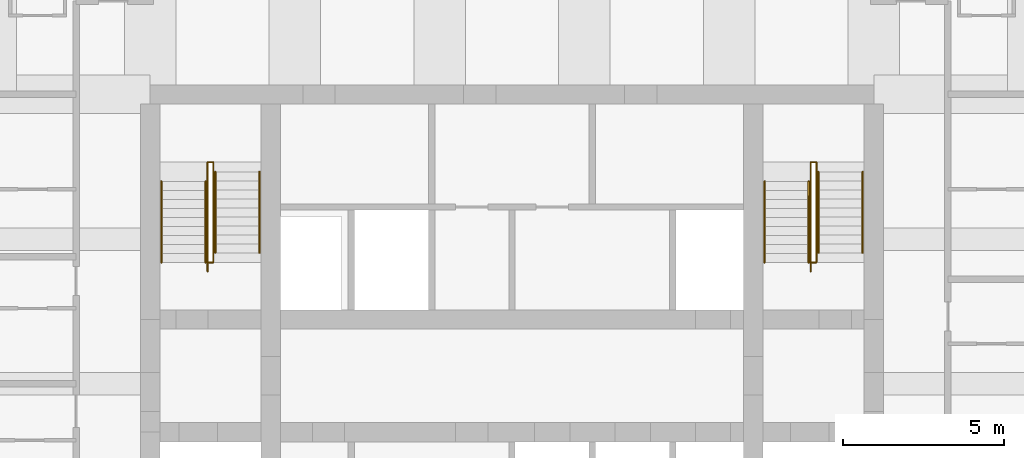
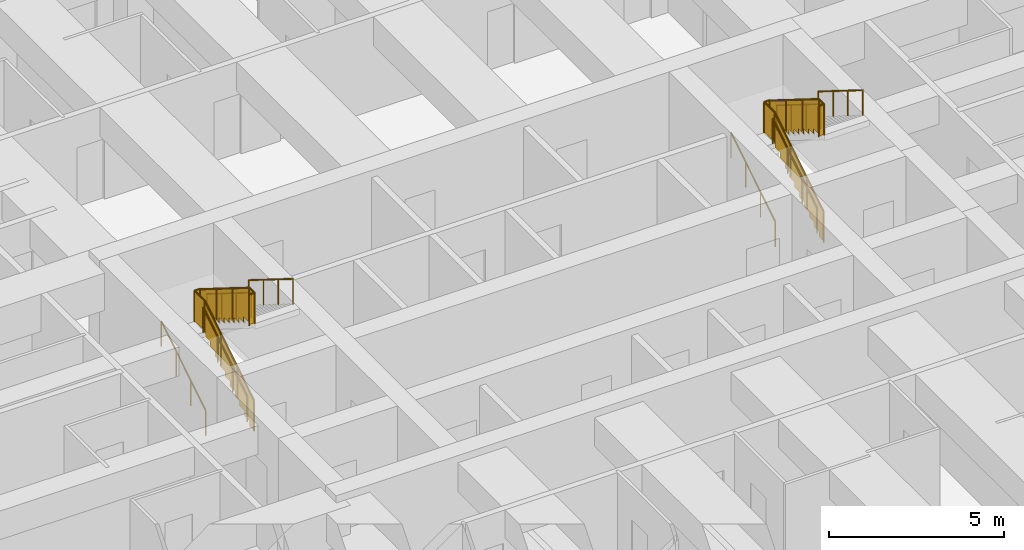
# One storey, part 8 of 8: 12 railings.
"""IFC4 building model written with IfcOpenShell, lengths in metres."""

from ifc_helpers import new_model, si_unit, direction, frame, origin, origin_2d, place, context, subcontext, project, spatial, polyline, circle, outline, extrude, material, type_object, element, save


model = new_model("IFC4")

# Units and contexts
model_context = context("Model", 3, precision=1e-05, world=origin(), true_north=direction((0.0, 1.0)))
body_context = subcontext(model_context, "Body", "Model", "MODEL_VIEW")
ifc_project = project(units=[si_unit("LENGTHUNIT", "METRE"), si_unit("AREAUNIT", "SQUARE_METRE"), si_unit("VOLUMEUNIT", "CUBIC_METRE"), si_unit("PLANEANGLEUNIT", "RADIAN"), si_unit("MASSUNIT", "GRAM", prefix="KILO")], contexts=[model_context])

# Site, building, storey
site_placement = place(None, origin())
site = spatial("IfcSite", under=ifc_project, at=site_placement, CompositionType="ELEMENT")
building_placement = place(site_placement, origin())
building = spatial("IfcBuilding", under=site, at=building_placement, Name="Kilele Tower Hotel", CompositionType="ELEMENT")
storey_placement = place(building_placement, frame((0.0, 0.0, 93.39990234375)))
storey = spatial("IfcBuildingStorey", under=building, at=storey_placement, Name="L23", CompositionType="ELEMENT", Elevation=93.39990234375)

# Railings
ifc_material_1 = material(Name="Steel handrail", Category="steel")
railing_type_1 = type_object("IfcRailingType", Name="Handrail 900", PredefinedType="HANDRAIL", material=ifc_material_1)
for number, where, name in (
    (1, (13.85009765625, 21.77490234375, 0.175048828125), "Handrail ST1 flight 1"),
    (2, (15.22509765625, 21.77490234375, 0.175048828125), "Handrail ST1 flight 1"),
):
    element("IfcRailing", number, at=place(storey_placement, frame(where)), inside=storey, type_object=railing_type_1, Name=name, PredefinedType="HANDRAIL", context=body_context, shape_type="SweptSolid", body=[
        extrude(circle(Radius=0.02490234375, at=origin_2d()), frame((0.0, 0.0, 0.875), z_axis=(0.0, 0.848007534815, 0.529984170421), x_axis=(-1.0, 0.0, 0.0)), (0.0, 0.0, 1.0), 2.9716796875),
        extrude(circle(Radius=0.02001953125, at=origin_2d()), origin(), (0.0, 0.0, 1.0), 0.849853515625),
        extrude(circle(Radius=0.02001953125, at=origin_2d()), frame((0.0, 0.840087890625, 0.52490234375)), (0.0, 0.0, 1.0), 0.849853515625),
        extrude(circle(Radius=0.02001953125, at=origin_2d()), frame((0.0, 1.679931640625, 1.050048828125)), (0.0, 0.0, 1.0), 0.849853515625),
        extrude(circle(Radius=0.02001953125, at=origin_2d()), frame((0.0, 2.52001953125, 1.574951171875)), (0.0, 0.0, 1.0), 0.849853515625),
    ])
for number, where, name in (
    (3, (15.52490234375, 24.594970703125, 1.925048828125), "Handrail ST1 flight 2"),
    (4, (16.89990234375, 24.594970703125, 1.925048828125), "Handrail ST1 flight 2"),
):
    element("IfcRailing", number, at=place(storey_placement, frame(where)), inside=storey, type_object=railing_type_1, Name=name, PredefinedType="HANDRAIL", context=body_context, shape_type="SweptSolid", body=[
        extrude(circle(Radius=0.02490234375, at=origin_2d()), frame((0.0, 0.0, 0.875), z_axis=(0.0, -0.848007534815, 0.529984170421), x_axis=(1.0, 0.0, 0.0)), (0.0, 0.0, 1.0), 2.9716796875),
        extrude(circle(Radius=0.02001953125, at=origin_2d()), origin(), (0.0, 0.0, 1.0), 0.849853515625),
        extrude(circle(Radius=0.02001953125, at=origin_2d()), frame((0.0, -0.840087890625, 0.52490234375)), (0.0, 0.0, 1.0), 0.849853515625),
        extrude(circle(Radius=0.02001953125, at=origin_2d()), frame((0.0, -1.679931640625, 1.050048828125)), (0.0, 0.0, 1.0), 0.849853515625),
        extrude(circle(Radius=0.02001953125, at=origin_2d()), frame((0.0, -2.52001953125, 1.574951171875)), (0.0, 0.0, 1.0), 0.849853515625),
    ])
for number, where, name in (
    (5, (32.60009765625, 21.77490234375, 0.175048828125), "Handrail ST2 flight 1"),
    (6, (33.97509765625, 21.77490234375, 0.175048828125), "Handrail ST2 flight 1"),
):
    element("IfcRailing", number, at=place(storey_placement, frame(where)), inside=storey, type_object=railing_type_1, Name=name, PredefinedType="HANDRAIL", context=body_context, shape_type="SweptSolid", body=[
        extrude(circle(Radius=0.02490234375, at=origin_2d()), frame((0.0, 0.0, 0.875), z_axis=(0.0, 0.848007534815, 0.529984170421), x_axis=(-1.0, 0.0, 0.0)), (0.0, 0.0, 1.0), 2.9716796875),
        extrude(circle(Radius=0.02001953125, at=origin_2d()), origin(), (0.0, 0.0, 1.0), 0.849853515625),
        extrude(circle(Radius=0.02001953125, at=origin_2d()), frame((0.0, 0.840087890625, 0.52490234375)), (0.0, 0.0, 1.0), 0.849853515625),
        extrude(circle(Radius=0.02001953125, at=origin_2d()), frame((0.0, 1.679931640625, 1.050048828125)), (0.0, 0.0, 1.0), 0.849853515625),
        extrude(circle(Radius=0.02001953125, at=origin_2d()), frame((0.0, 2.52001953125, 1.574951171875)), (0.0, 0.0, 1.0), 0.849853515625),
    ])
for number, where, name in (
    (7, (34.27490234375, 24.594970703125, 1.925048828125), "Handrail ST2 flight 2"),
    (8, (35.64990234375, 24.594970703125, 1.925048828125), "Handrail ST2 flight 2"),
):
    element("IfcRailing", number, at=place(storey_placement, frame(where)), inside=storey, type_object=railing_type_1, Name=name, PredefinedType="HANDRAIL", context=body_context, shape_type="SweptSolid", body=[
        extrude(circle(Radius=0.02490234375, at=origin_2d()), frame((0.0, 0.0, 0.875), z_axis=(0.0, -0.848007534815, 0.529984170421), x_axis=(1.0, 0.0, 0.0)), (0.0, 0.0, 1.0), 2.9716796875),
        extrude(circle(Radius=0.02001953125, at=origin_2d()), origin(), (0.0, 0.0, 1.0), 0.849853515625),
        extrude(circle(Radius=0.02001953125, at=origin_2d()), frame((0.0, -0.840087890625, 0.52490234375)), (0.0, 0.0, 1.0), 0.849853515625),
        extrude(circle(Radius=0.02001953125, at=origin_2d()), frame((0.0, -1.679931640625, 1.050048828125)), (0.0, 0.0, 1.0), 0.849853515625),
        extrude(circle(Radius=0.02001953125, at=origin_2d()), frame((0.0, -2.52001953125, 1.574951171875)), (0.0, 0.0, 1.0), 0.849853515625),
    ])
ifc_material_2 = material(Name="Steel guard", Category="steel")
railing_type_2 = type_object("IfcRailingType", Name="Stair guard 1100", PredefinedType="GUARDRAIL", material=ifc_material_2)
railing_1_placement = place(storey_placement, frame((15.284912109375, 21.4951171875, 0.0)))
element("IfcRailing", 9, at=railing_1_placement, inside=storey, type_object=railing_type_2, Name="Stair well guard ST1 flight 1", PredefinedType="GUARDRAIL", context=body_context, shape_type="SweptSolid", body=[
    extrude(circle(Radius=0.02490234375, at=origin_2d()), frame((0.0, 0.0, 1.0751953125), z_axis=(0.0, 0.847981687118, 0.530025526095), x_axis=(-1.0, 0.0, 0.0)), (0.0, 0.0, 1.0), 3.3017578125),
    extrude(circle(Radius=0.02490234375, at=origin_2d()), frame((0.0, 2.7998046875, 2.8251953125), z_axis=(0.0, 1.0, 0.0), x_axis=(-1.0, 0.0, 0.0)), (0.0, 0.0, 1.0), 0.60009765625),
    extrude(circle(Radius=0.02490234375, at=origin_2d()), frame((0.0, 3.39990234375, 2.8251953125), z_axis=(1.0, 0.0, 0.0), x_axis=(0.0, 1.0, 0.0)), (0.0, 0.0, 1.0), 0.18017578125),
    extrude(circle(Radius=0.02490234375, at=origin_2d()), origin(), (0.0, 0.0, 1.0), 1.050048828125),
    extrude(circle(Radius=0.02490234375, at=origin_2d()), frame((0.0, 0.933349609375, 0.583251953125)), (0.0, 0.0, 1.0), 1.050048828125),
    extrude(circle(Radius=0.02490234375, at=origin_2d()), frame((0.0, 1.866455078125, 1.166748046875)), (0.0, 0.0, 1.0), 1.050048828125),
    extrude(circle(Radius=0.02490234375, at=origin_2d()), frame((0.0, 2.7998046875, 1.75)), (0.0, 0.0, 1.0), 1.050048828125),
    extrude(circle(Radius=0.02490234375, at=origin_2d()), frame((0.0, 3.39990234375, 1.75)), (0.0, 0.0, 1.0), 1.050048828125),
    extrude(circle(Radius=0.02490234375, at=origin_2d()), frame((0.18017578125, 3.39990234375, 1.75)), (0.0, 0.0, 1.0), 1.050048828125),
    extrude(outline(polyline([(0.012451171875, 0.030029296875), (0.25, 0.030029296875), (0.25, 0.205078125), (0.530029296875, 0.205078125), (0.530029296875, 0.380126953125), (0.809814453125, 0.380126953125), (0.809814453125, 0.554931640625), (1.08984375, 0.554931640625), (1.08984375, 0.72998046875), (1.369873046875, 0.72998046875), (1.369873046875, 0.905029296875), (1.64990234375, 0.905029296875), (1.64990234375, 1.080078125), (1.929931640625, 1.080078125), (1.929931640625, 1.255126953125), (2.209716796875, 1.255126953125), (2.209716796875, 1.429931640625), (2.48974609375, 1.429931640625), (2.48974609375, 1.60498046875), (2.769775390625, 1.60498046875), (2.769775390625, 1.780029296875), (2.787353515625, 1.780029296875), (2.787353515625, 2.787841796875), (0.012451171875, 1.053466796875), (0.012451171875, 0.030029296875)])), frame((-0.005859375, 0.0, 0.0), z_axis=(1.0, 0.0, 0.0), x_axis=(0.0, 1.0, 0.0)), (0.0, 0.0, 1.0), 0.011962890625),
    extrude(outline(polyline([(0.012451171875, 0.030029296875), (0.587646484375, 0.030029296875), (0.587646484375, 1.050048828125), (0.012451171875, 1.050048828125), (0.012451171875, 0.030029296875)])), frame((-0.005859375, 2.7998046875, 1.75), z_axis=(1.0, 0.0, 0.0), x_axis=(0.0, 1.0, 0.0)), (0.0, 0.0, 1.0), 0.011962890625),
    extrude(outline(polyline([(0.012451171875, 0.030029296875), (0.18017578125, 0.030029296875), (0.18017578125, 1.050048828125), (0.012451171875, 1.050048828125), (0.012451171875, 0.030029296875)])), frame((0.0, 3.40576171875, 1.75), z_axis=(0.0, -1.0, 0.0), x_axis=(1.0, 0.0, 0.0)), (0.0, 0.0, 1.0), 0.011962890625),
])
railing_2_placement = place(storey_placement, frame((15.465087890625, 24.89501953125, 1.75)))
element("IfcRailing", 10, at=railing_2_placement, inside=storey, type_object=railing_type_2, Name="Stair well guard ST1 flight 2", PredefinedType="GUARDRAIL", context=body_context, shape_type="SweptSolid", body=[
    extrude(circle(Radius=0.02490234375, at=origin_2d()), frame((0.0, 0.0, 1.0751953125), z_axis=(0.0, -1.0, 0.0), x_axis=(1.0, 0.0, 0.0)), (0.0, 0.0, 1.0), 0.02001953125),
    extrude(circle(Radius=0.02490234375, at=origin_2d()), frame((0.0, -0.02001953125, 1.0751953125), z_axis=(0.0, -0.848002457836, 0.529992293815), x_axis=(1.0, 0.0, 0.0)), (0.0, 0.0, 1.0), 3.302001953125),
    extrude(circle(Radius=0.02490234375, at=origin_2d()), frame((0.0, -2.820068359375, 2.8251953125), z_axis=(0.0, -1.0, 0.0), x_axis=(1.0, 0.0, 0.0)), (0.0, 0.0, 1.0), 0.300048828125),
    extrude(circle(Radius=0.02490234375, at=origin_2d()), frame((0.0, -3.1201171875, 2.8251953125), z_axis=(-1.0, 0.0, 0.0), x_axis=(0.0, -1.0, 0.0)), (0.0, 0.0, 1.0), 0.18017578125),
    extrude(circle(Radius=0.02490234375, at=origin_2d()), origin(), (0.0, 0.0, 1.0), 1.050048828125),
    extrude(circle(Radius=0.02490234375, at=origin_2d()), frame((0.0, -0.02001953125, 0.0)), (0.0, 0.0, 1.0), 1.050048828125),
    extrude(circle(Radius=0.02490234375, at=origin_2d()), frame((0.0, -0.953369140625, 0.583251953125)), (0.0, 0.0, 1.0), 1.050048828125),
    extrude(circle(Radius=0.02490234375, at=origin_2d()), frame((0.0, -1.88671875, 1.166748046875)), (0.0, 0.0, 1.0), 1.050048828125),
    extrude(circle(Radius=0.02490234375, at=origin_2d()), frame((0.0, -2.820068359375, 1.75)), (0.0, 0.0, 1.0), 1.050048828125),
    extrude(circle(Radius=0.02490234375, at=origin_2d()), frame((0.0, -3.1201171875, 1.75)), (0.0, 0.0, 1.0), 1.050048828125),
    extrude(circle(Radius=0.02490234375, at=origin_2d()), frame((-0.18017578125, -3.1201171875, 1.75)), (0.0, 0.0, 1.0), 1.050048828125),
    extrude(outline(polyline([(0.012451171875, 0.030029296875), (0.25, 0.030029296875), (0.25, 0.205078125), (0.530029296875, 0.205078125), (0.530029296875, 0.380126953125), (0.81005859375, 0.380126953125), (0.81005859375, 0.554931640625), (1.090087890625, 0.554931640625), (1.090087890625, 0.72998046875), (1.3701171875, 0.72998046875), (1.3701171875, 0.905029296875), (1.64990234375, 0.905029296875), (1.64990234375, 1.080078125), (1.929931640625, 1.080078125), (1.929931640625, 1.255126953125), (2.2099609375, 1.255126953125), (2.2099609375, 1.429931640625), (2.489990234375, 1.429931640625), (2.489990234375, 1.60498046875), (2.77001953125, 1.60498046875), (2.77001953125, 1.780029296875), (2.78759765625, 1.780029296875), (2.78759765625, 2.787841796875), (0.012451171875, 1.053466796875), (0.012451171875, 0.030029296875)])), frame((0.005859375, -0.02001953125, 0.0), z_axis=(-1.0, 0.0, 0.0), x_axis=(0.0, -1.0, 0.0)), (0.0, 0.0, 1.0), 0.011962890625),
    extrude(outline(polyline([(0.012451171875, 0.030029296875), (0.28759765625, 0.030029296875), (0.28759765625, 1.050048828125), (0.012451171875, 1.050048828125), (0.012451171875, 0.030029296875)])), frame((0.005859375, -2.820068359375, 1.75), z_axis=(-1.0, 0.0, 0.0), x_axis=(0.0, -1.0, 0.0)), (0.0, 0.0, 1.0), 0.011962890625),
    extrude(outline(polyline([(0.012451171875, 0.030029296875), (0.18017578125, 0.030029296875), (0.18017578125, 1.050048828125), (0.012451171875, 1.050048828125), (0.012451171875, 0.030029296875)])), frame((0.0, -3.1259765625, 1.75), z_axis=(0.0, 1.0, 0.0), x_axis=(-1.0, 0.0, 0.0)), (0.0, 0.0, 1.0), 0.011962890625),
])
railing_3_placement = place(storey_placement, frame((34.034912109375, 21.4951171875, 0.0)))
element("IfcRailing", 11, at=railing_3_placement, inside=storey, type_object=railing_type_2, Name="Stair well guard ST2 flight 1", PredefinedType="GUARDRAIL", context=body_context, shape_type="SweptSolid", body=[
    extrude(circle(Radius=0.02490234375, at=origin_2d()), frame((0.0, 0.0, 1.0751953125), z_axis=(0.0, 0.847981687118, 0.530025526095), x_axis=(-1.0, 0.0, 0.0)), (0.0, 0.0, 1.0), 3.3017578125),
    extrude(circle(Radius=0.02490234375, at=origin_2d()), frame((0.0, 2.7998046875, 2.8251953125), z_axis=(0.0, 1.0, 0.0), x_axis=(-1.0, 0.0, 0.0)), (0.0, 0.0, 1.0), 0.60009765625),
    extrude(circle(Radius=0.02490234375, at=origin_2d()), frame((0.0, 3.39990234375, 2.8251953125), z_axis=(1.0, 0.0, 0.0), x_axis=(0.0, 1.0, 0.0)), (0.0, 0.0, 1.0), 0.18017578125),
    extrude(circle(Radius=0.02490234375, at=origin_2d()), origin(), (0.0, 0.0, 1.0), 1.050048828125),
    extrude(circle(Radius=0.02490234375, at=origin_2d()), frame((0.0, 0.933349609375, 0.583251953125)), (0.0, 0.0, 1.0), 1.050048828125),
    extrude(circle(Radius=0.02490234375, at=origin_2d()), frame((0.0, 1.866455078125, 1.166748046875)), (0.0, 0.0, 1.0), 1.050048828125),
    extrude(circle(Radius=0.02490234375, at=origin_2d()), frame((0.0, 2.7998046875, 1.75)), (0.0, 0.0, 1.0), 1.050048828125),
    extrude(circle(Radius=0.02490234375, at=origin_2d()), frame((0.0, 3.39990234375, 1.75)), (0.0, 0.0, 1.0), 1.050048828125),
    extrude(circle(Radius=0.02490234375, at=origin_2d()), frame((0.18017578125, 3.39990234375, 1.75)), (0.0, 0.0, 1.0), 1.050048828125),
    extrude(outline(polyline([(0.012451171875, 0.030029296875), (0.25, 0.030029296875), (0.25, 0.205078125), (0.530029296875, 0.205078125), (0.530029296875, 0.380126953125), (0.809814453125, 0.380126953125), (0.809814453125, 0.554931640625), (1.08984375, 0.554931640625), (1.08984375, 0.72998046875), (1.369873046875, 0.72998046875), (1.369873046875, 0.905029296875), (1.64990234375, 0.905029296875), (1.64990234375, 1.080078125), (1.929931640625, 1.080078125), (1.929931640625, 1.255126953125), (2.209716796875, 1.255126953125), (2.209716796875, 1.429931640625), (2.48974609375, 1.429931640625), (2.48974609375, 1.60498046875), (2.769775390625, 1.60498046875), (2.769775390625, 1.780029296875), (2.787353515625, 1.780029296875), (2.787353515625, 2.787841796875), (0.012451171875, 1.053466796875), (0.012451171875, 0.030029296875)])), frame((-0.005859375, 0.0, 0.0), z_axis=(1.0, 0.0, 0.0), x_axis=(0.0, 1.0, 0.0)), (0.0, 0.0, 1.0), 0.011962890625),
    extrude(outline(polyline([(0.012451171875, 0.030029296875), (0.587646484375, 0.030029296875), (0.587646484375, 1.050048828125), (0.012451171875, 1.050048828125), (0.012451171875, 0.030029296875)])), frame((-0.005859375, 2.7998046875, 1.75), z_axis=(1.0, 0.0, 0.0), x_axis=(0.0, 1.0, 0.0)), (0.0, 0.0, 1.0), 0.011962890625),
    extrude(outline(polyline([(0.012451171875, 0.030029296875), (0.18017578125, 0.030029296875), (0.18017578125, 1.050048828125), (0.012451171875, 1.050048828125), (0.012451171875, 0.030029296875)])), frame((0.0, 3.40576171875, 1.75), z_axis=(0.0, -1.0, 0.0), x_axis=(1.0, 0.0, 0.0)), (0.0, 0.0, 1.0), 0.011962890625),
])
railing_4_placement = place(storey_placement, frame((34.215087890625, 24.89501953125, 1.75)))
element("IfcRailing", 12, at=railing_4_placement, inside=storey, type_object=railing_type_2, Name="Stair well guard ST2 flight 2", PredefinedType="GUARDRAIL", context=body_context, shape_type="SweptSolid", body=[
    extrude(circle(Radius=0.02490234375, at=origin_2d()), frame((0.0, 0.0, 1.0751953125), z_axis=(0.0, -1.0, 0.0), x_axis=(1.0, 0.0, 0.0)), (0.0, 0.0, 1.0), 0.02001953125),
    extrude(circle(Radius=0.02490234375, at=origin_2d()), frame((0.0, -0.02001953125, 1.0751953125), z_axis=(0.0, -0.848002457836, 0.529992293815), x_axis=(1.0, 0.0, 0.0)), (0.0, 0.0, 1.0), 3.302001953125),
    extrude(circle(Radius=0.02490234375, at=origin_2d()), frame((0.0, -2.820068359375, 2.8251953125), z_axis=(0.0, -1.0, 0.0), x_axis=(1.0, 0.0, 0.0)), (0.0, 0.0, 1.0), 0.300048828125),
    extrude(circle(Radius=0.02490234375, at=origin_2d()), frame((0.0, -3.1201171875, 2.8251953125), z_axis=(-1.0, 0.0, 0.0), x_axis=(0.0, -1.0, 0.0)), (0.0, 0.0, 1.0), 0.18017578125),
    extrude(circle(Radius=0.02490234375, at=origin_2d()), origin(), (0.0, 0.0, 1.0), 1.050048828125),
    extrude(circle(Radius=0.02490234375, at=origin_2d()), frame((0.0, -0.02001953125, 0.0)), (0.0, 0.0, 1.0), 1.050048828125),
    extrude(circle(Radius=0.02490234375, at=origin_2d()), frame((0.0, -0.953369140625, 0.583251953125)), (0.0, 0.0, 1.0), 1.050048828125),
    extrude(circle(Radius=0.02490234375, at=origin_2d()), frame((0.0, -1.88671875, 1.166748046875)), (0.0, 0.0, 1.0), 1.050048828125),
    extrude(circle(Radius=0.02490234375, at=origin_2d()), frame((0.0, -2.820068359375, 1.75)), (0.0, 0.0, 1.0), 1.050048828125),
    extrude(circle(Radius=0.02490234375, at=origin_2d()), frame((0.0, -3.1201171875, 1.75)), (0.0, 0.0, 1.0), 1.050048828125),
    extrude(circle(Radius=0.02490234375, at=origin_2d()), frame((-0.18017578125, -3.1201171875, 1.75)), (0.0, 0.0, 1.0), 1.050048828125),
    extrude(outline(polyline([(0.012451171875, 0.030029296875), (0.25, 0.030029296875), (0.25, 0.205078125), (0.530029296875, 0.205078125), (0.530029296875, 0.380126953125), (0.81005859375, 0.380126953125), (0.81005859375, 0.554931640625), (1.090087890625, 0.554931640625), (1.090087890625, 0.72998046875), (1.3701171875, 0.72998046875), (1.3701171875, 0.905029296875), (1.64990234375, 0.905029296875), (1.64990234375, 1.080078125), (1.929931640625, 1.080078125), (1.929931640625, 1.255126953125), (2.2099609375, 1.255126953125), (2.2099609375, 1.429931640625), (2.489990234375, 1.429931640625), (2.489990234375, 1.60498046875), (2.77001953125, 1.60498046875), (2.77001953125, 1.780029296875), (2.78759765625, 1.780029296875), (2.78759765625, 2.787841796875), (0.012451171875, 1.053466796875), (0.012451171875, 0.030029296875)])), frame((0.005859375, -0.02001953125, 0.0), z_axis=(-1.0, 0.0, 0.0), x_axis=(0.0, -1.0, 0.0)), (0.0, 0.0, 1.0), 0.011962890625),
    extrude(outline(polyline([(0.012451171875, 0.030029296875), (0.28759765625, 0.030029296875), (0.28759765625, 1.050048828125), (0.012451171875, 1.050048828125), (0.012451171875, 0.030029296875)])), frame((0.005859375, -2.820068359375, 1.75), z_axis=(-1.0, 0.0, 0.0), x_axis=(0.0, -1.0, 0.0)), (0.0, 0.0, 1.0), 0.011962890625),
    extrude(outline(polyline([(0.012451171875, 0.030029296875), (0.18017578125, 0.030029296875), (0.18017578125, 1.050048828125), (0.012451171875, 1.050048828125), (0.012451171875, 0.030029296875)])), frame((0.0, -3.1259765625, 1.75), z_axis=(0.0, 1.0, 0.0), x_axis=(-1.0, 0.0, 0.0)), (0.0, 0.0, 1.0), 0.011962890625),
])

save(model, "model.ifc")
